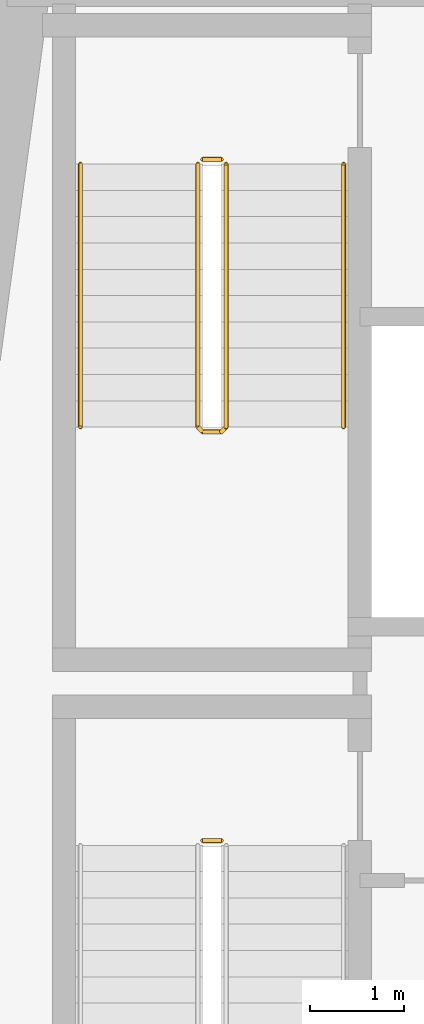
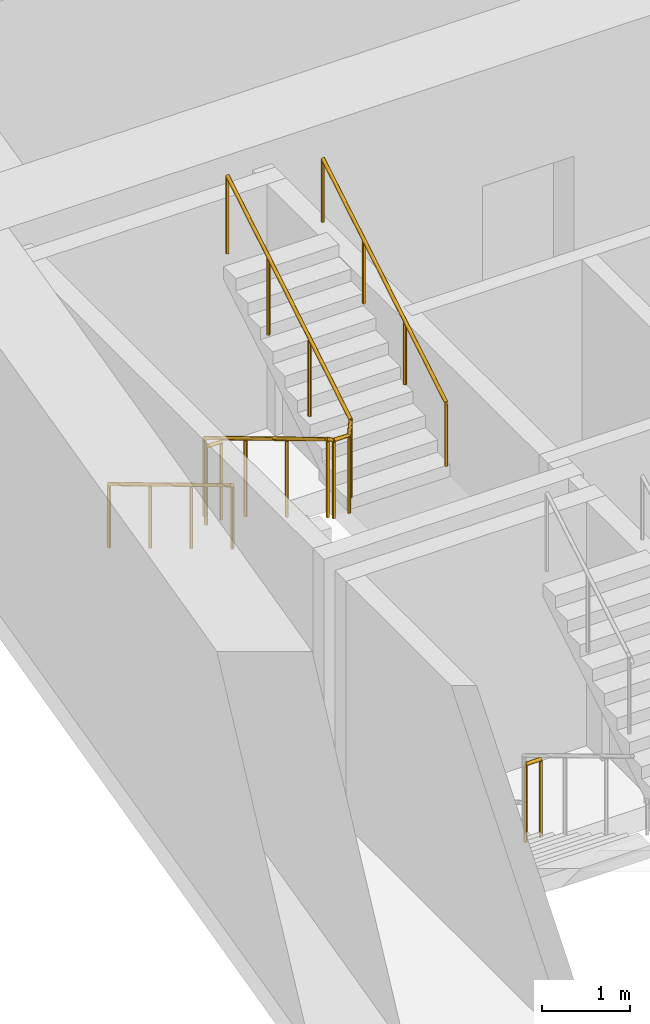
# One storey, part 11 of 14: 5 railings.
"""IFC4 building model written with IfcOpenShell, lengths in metres."""

from ifc_helpers import new_model, si_unit, direction, frame, origin, origin_2d, place, context, subcontext, project, spatial, circle, extrude, material, type_object, element, save


model = new_model("IFC4")

# Units and contexts
model_context = context("Model", 3, precision=1e-05, world=origin(), true_north=direction((0.0, 1.0)))
body_context = subcontext(model_context, "Body", "Model", "MODEL_VIEW")
ifc_project = project(units=[si_unit("LENGTHUNIT", "METRE"), si_unit("AREAUNIT", "SQUARE_METRE"), si_unit("VOLUMEUNIT", "CUBIC_METRE"), si_unit("PLANEANGLEUNIT", "RADIAN"), si_unit("MASSUNIT", "GRAM", prefix="KILO")], contexts=[model_context])

# Site, building, storey
site_placement = place(None, origin())
site = spatial("IfcSite", under=ifc_project, at=site_placement, CompositionType="ELEMENT")
building_placement = place(site_placement, origin())
building = spatial("IfcBuilding", under=site, at=building_placement, Name="Candeia Pilgrim Tower and Theatre", CompositionType="ELEMENT")
storey_placement = place(building_placement, frame((0.0, 0.0, 124.300048828125)))
storey = spatial("IfcBuildingStorey", under=building, at=storey_placement, Name="L29", CompositionType="ELEMENT", Elevation=124.300048828125)

# Railings
ifc_material_1 = material(Name="Stainless steel balustrade", Category="steel")
railing_type_1 = type_object("IfcRailingType", Name="RL-GUARD-1100", PredefinedType="GUARDRAIL", material=ifc_material_1)
railing_1_placement = place(storey_placement, frame((91.152099609375, 122.52490234375, 0.0)))
element("IfcRailing", 1, at=railing_1_placement, inside=storey, type_object=railing_type_1, Name="L29 ST1 stair guard 2", PredefinedType="GUARDRAIL", context=body_context, shape_type="SweptSolid", body=[
    extrude(circle(Radius=0.02392578125, at=origin_2d()), frame((0.0, 0.0, 1.076171875), z_axis=(1.0, 0.0, 0.0), x_axis=(0.0, 1.0, 0.0)), (0.0, 0.0, 1.0), 0.199951171875),
    extrude(circle(Radius=0.02099609375, at=origin_2d()), origin(), (0.0, 0.0, 1.0), 1.052001953125),
    extrude(circle(Radius=0.02099609375, at=origin_2d()), frame((0.199951171875, 0.0, 0.0)), (0.0, 0.0, 1.0), 1.052001953125),
])
railing_2_placement = place(storey_placement, frame((91.10205078125, 129.72509765625, 0.168212890625)))
element("IfcRailing", 2, at=railing_2_placement, inside=storey, type_object=railing_type_1, Name="L29 ST2 stair guard 1", PredefinedType="GUARDRAIL", context=body_context, shape_type="SweptSolid", body=[
    extrude(circle(Radius=0.02392578125, at=origin_2d()), frame((0.0, 0.0, 1.076171875), z_axis=(0.0, -0.857275202839, 0.514858452973), x_axis=(1.0, 0.0, 0.0)), (0.0, 0.0, 1.0), 3.26611328125),
    extrude(circle(Radius=0.02392578125, at=origin_2d()), frame((0.0, -2.800048828125, 2.7578125), z_axis=(0.707106781187, -0.707106781187, 0.0), x_axis=(0.707106781187, 0.707106781187, 0.0)), (0.0, 0.0, 1.0), 0.07080078125),
    extrude(circle(Radius=0.02392578125, at=origin_2d()), frame((0.050048828125, -2.85009765625, 2.7578125), z_axis=(1.0, 0.0, 0.0), x_axis=(0.0, 1.0, 0.0)), (0.0, 0.0, 1.0), 0.199951171875),
    extrude(circle(Radius=0.02392578125, at=origin_2d()), frame((0.25, -2.85009765625, 2.7578125), z_axis=(0.274243871929, 0.274243871929, 0.92172696468), x_axis=(-0.707106781187, 0.707106781187, 0.0)), (0.0, 0.0, 1.0), 0.1826171875),
    extrude(circle(Radius=0.02392578125, at=origin_2d()), frame((0.300048828125, -2.800048828125, 2.92578125), z_axis=(0.0, 0.857242210791, 0.514913383045), x_axis=(-1.0, 0.0, 0.0)), (0.0, 0.0, 1.0), 3.266357421875),
    extrude(circle(Radius=0.02099609375, at=origin_2d()), origin(), (0.0, 0.0, 1.0), 1.052001953125),
    extrude(circle(Radius=0.02099609375, at=origin_2d()), frame((0.0, -0.933349609375, 0.560546875)), (0.0, 0.0, 1.0), 1.052001953125),
    extrude(circle(Radius=0.02099609375, at=origin_2d()), frame((0.0, -1.86669921875, 1.12109375)), (0.0, 0.0, 1.0), 1.052001953125),
    extrude(circle(Radius=0.02099609375, at=origin_2d()), frame((0.0, -2.800048828125, 1.681640625)), (0.0, 0.0, 1.0), 1.052001953125),
    extrude(circle(Radius=0.02099609375, at=origin_2d()), frame((0.050048828125, -2.85009765625, 1.681640625)), (0.0, 0.0, 1.0), 1.052001953125),
    extrude(circle(Radius=0.02099609375, at=origin_2d()), frame((0.25, -2.85009765625, 1.681640625)), (0.0, 0.0, 1.0), 1.052001953125),
    extrude(circle(Radius=0.02099609375, at=origin_2d()), frame((0.300048828125, -2.800048828125, 1.849853515625)), (0.0, 0.0, 1.0), 1.052001953125),
    extrude(circle(Radius=0.02099609375, at=origin_2d()), frame((0.300048828125, -1.86669921875, 2.410400390625)), (0.0, 0.0, 1.0), 1.052001953125),
    extrude(circle(Radius=0.02099609375, at=origin_2d()), frame((0.300048828125, -0.933349609375, 2.97119140625)), (0.0, 0.0, 1.0), 1.052001953125),
    extrude(circle(Radius=0.02099609375, at=origin_2d()), frame((0.300048828125, 0.0, 3.53173828125)), (0.0, 0.0, 1.0), 1.052001953125),
])
railing_3_placement = place(storey_placement, frame((91.152099609375, 129.77490234375, 0.0)))
element("IfcRailing", 3, at=railing_3_placement, inside=storey, type_object=railing_type_1, Name="L29 ST2 stair guard 2", PredefinedType="GUARDRAIL", context=body_context, shape_type="SweptSolid", body=[
    extrude(circle(Radius=0.02392578125, at=origin_2d()), frame((0.0, 0.0, 1.076171875), z_axis=(1.0, 0.0, 0.0), x_axis=(0.0, 1.0, 0.0)), (0.0, 0.0, 1.0), 0.199951171875),
    extrude(circle(Radius=0.02099609375, at=origin_2d()), origin(), (0.0, 0.0, 1.0), 1.052001953125),
    extrude(circle(Radius=0.02099609375, at=origin_2d()), frame((0.199951171875, 0.0, 0.0)), (0.0, 0.0, 1.0), 1.052001953125),
])
ifc_material_2 = material(Name="Stainless steel handrail", Category="steel")
railing_type_2 = type_object("IfcRailingType", Name="RL-HANDRAIL-900", PredefinedType="HANDRAIL", material=ifc_material_2)
railing_4_placement = place(storey_placement, frame((89.85205078125, 129.72509765625, 0.168212890625)))
element("IfcRailing", 4, at=railing_4_placement, inside=storey, type_object=railing_type_2, Name="L29 ST2 stair handrail 1", PredefinedType="HANDRAIL", context=body_context, shape_type="SweptSolid", body=[
    extrude(circle(Radius=0.02392578125, at=origin_2d()), frame((0.0, 0.0, 0.8759765625), z_axis=(0.0, -0.857275202839, 0.514858452973), x_axis=(1.0, 0.0, 0.0)), (0.0, 0.0, 1.0), 3.26611328125),
    extrude(circle(Radius=0.02099609375, at=origin_2d()), origin(), (0.0, 0.0, 1.0), 0.851806640625),
    extrude(circle(Radius=0.02099609375, at=origin_2d()), frame((0.0, -0.933349609375, 0.560546875)), (0.0, 0.0, 1.0), 0.851806640625),
    extrude(circle(Radius=0.02099609375, at=origin_2d()), frame((0.0, -1.86669921875, 1.12109375)), (0.0, 0.0, 1.0), 0.851806640625),
    extrude(circle(Radius=0.02099609375, at=origin_2d()), frame((0.0, -2.800048828125, 1.681640625)), (0.0, 0.0, 1.0), 0.851806640625),
])
railing_5_placement = place(storey_placement, frame((92.652099609375, 126.925048828125, 2.01806640625)))
element("IfcRailing", 5, at=railing_5_placement, inside=storey, type_object=railing_type_2, Name="L29 ST2 stair handrail 2", PredefinedType="HANDRAIL", context=body_context, shape_type="SweptSolid", body=[
    extrude(circle(Radius=0.02392578125, at=origin_2d()), frame((0.0, 0.0, 0.8759765625), z_axis=(0.0, 0.857242210791, 0.514913383045), x_axis=(-1.0, 0.0, 0.0)), (0.0, 0.0, 1.0), 3.266357421875),
    extrude(circle(Radius=0.02099609375, at=origin_2d()), origin(), (0.0, 0.0, 1.0), 0.851806640625),
    extrude(circle(Radius=0.02099609375, at=origin_2d()), frame((0.0, 0.933349609375, 0.560546875)), (0.0, 0.0, 1.0), 0.851806640625),
    extrude(circle(Radius=0.02099609375, at=origin_2d()), frame((0.0, 1.86669921875, 1.121337890625)), (0.0, 0.0, 1.0), 0.851806640625),
    extrude(circle(Radius=0.02099609375, at=origin_2d()), frame((0.0, 2.800048828125, 1.681884765625)), (0.0, 0.0, 1.0), 0.851806640625),
])

save(model, "model.ifc")
